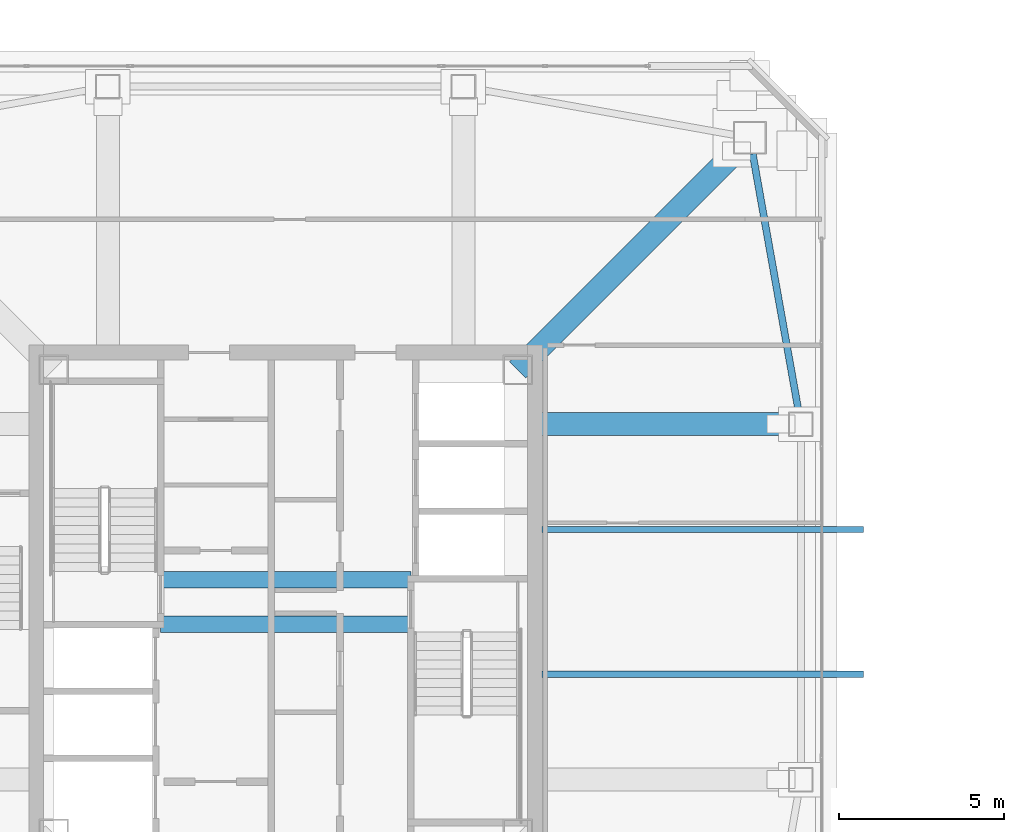
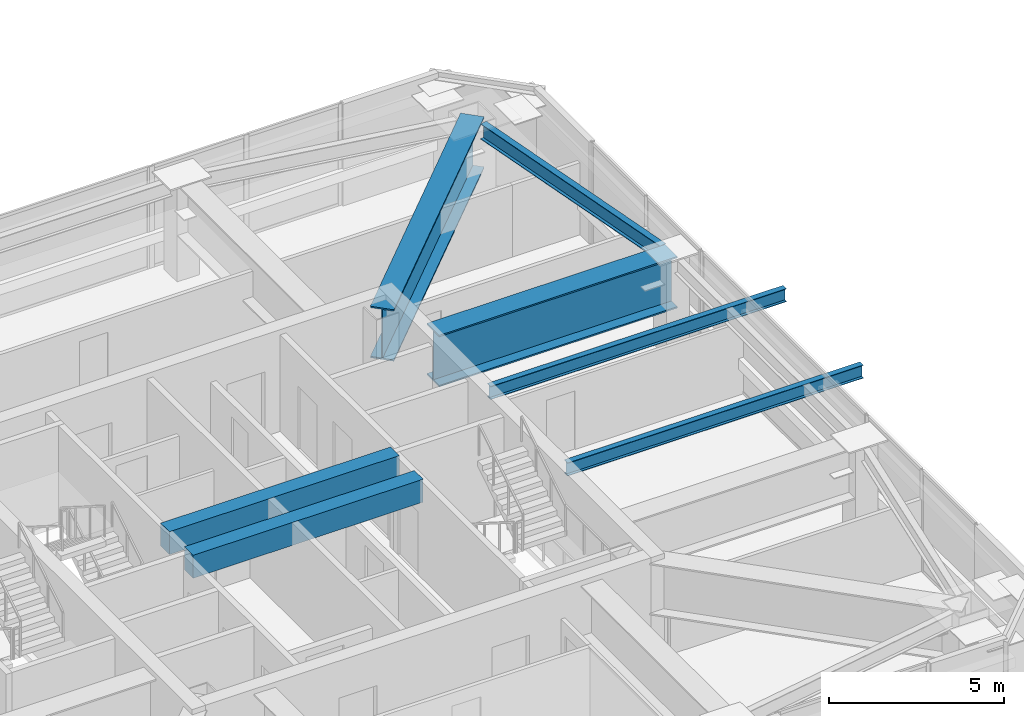
# One storey, part 9 of 40: 7 beams.
"""IFC4 building model written with IfcOpenShell, lengths in metres."""

from ifc_helpers import new_model, si_unit, direction, frame, origin, origin_2d, place, context, subcontext, project, spatial, rectangle, i_section, extrude, material, material_profile, profile_set, type_object, element, save


model = new_model("IFC4")

# Units and contexts
model_context = context("Model", 3, precision=1e-05, world=origin(), true_north=direction((0.0, 1.0)))
body_context = subcontext(model_context, "Body", "Model", "MODEL_VIEW")
ifc_project = project(units=[si_unit("LENGTHUNIT", "METRE"), si_unit("AREAUNIT", "SQUARE_METRE"), si_unit("VOLUMEUNIT", "CUBIC_METRE"), si_unit("PLANEANGLEUNIT", "RADIAN"), si_unit("MASSUNIT", "GRAM", prefix="KILO")], contexts=[model_context])

# Site, building, storey
site_placement = place(None, origin())
site = spatial("IfcSite", under=ifc_project, at=site_placement, CompositionType="ELEMENT")
building_placement = place(site_placement, origin())
building = spatial("IfcBuilding", under=site, at=building_placement, Name="Tashvorn Skyway Center", CompositionType="ELEMENT")
storey_placement = place(building_placement, frame((0.0, 0.0, 229.050048828125)))
storey = spatial("IfcBuildingStorey", under=building, at=storey_placement, Name="L62", CompositionType="ELEMENT", Elevation=229.050048828125)

# Beams
ifc_material_1 = material(Name="Steel ASTM A572 Grade 50", Category="steel")
ifc_material_profile_1 = material_profile(ifc_material_1, i_section(OverallWidth=0.699951171875, OverallDepth=1.800048828125, WebThickness=0.031982421875, FlangeThickness=0.050048828125, at=origin_2d()), Name="PG1800x700")
ifc_profile_set_1 = profile_set([ifc_material_profile_1], Name="Steel ASTM A572 Grade 50")
beam_type_1 = type_object("IfcBeamType", Name="BM-BEAM-PG1800x700", PredefinedType="BEAM", material=ifc_profile_set_1)
beam_1_placement = place(storey_placement, frame((56.10009765625, 46.10009765625, 2.469970703125), z_axis=(-0.707106781187, -0.707106781187, 0.0), x_axis=(0.707106781187, -0.707106781187, 0.0)))
element("IfcBeam", 1, at=beam_1_placement, inside=storey, type_object=beam_type_1, Name="Tower 1 L62 Setback Transfer Girder MC-NE", PredefinedType="BEAM", context=body_context, shape_type="SweptSolid", body=[
    extrude(i_section(OverallWidth=0.699951171875, OverallDepth=1.800048828125, WebThickness=0.031982421875, FlangeThickness=0.050048828125, at=origin_2d()), origin(), (0.0, 0.0, 1.0), 9.97021484375),
])
beam_2_placement = place(storey_placement, frame((57.64990234375, 37.39990234375, 2.469970703125), z_axis=(-1.0, 0.0, 0.0), x_axis=(0.0, -1.0, 0.0)))
element("IfcBeam", 2, at=beam_2_placement, inside=storey, type_object=beam_type_1, Name="Tower 1 L62 Setback Transfer Girder FC-E2", PredefinedType="BEAM", context=body_context, shape_type="SweptSolid", body=[
    extrude(i_section(OverallWidth=0.699951171875, OverallDepth=1.800048828125, WebThickness=0.031982421875, FlangeThickness=0.050048828125, at=origin_2d()), origin(), (0.0, 0.0, 1.0), 7.869873046875),
])
ifc_material_2 = material(Name="Steel ASTM A992 Grade 50", Category="steel")
ifc_material_profile_2 = material_profile(ifc_material_2, i_section(OverallWidth=0.19091796875, OverallDepth=0.4599609375, WebThickness=0.010009765625, FlangeThickness=0.01611328125, at=origin_2d()), Name="W18X55")
ifc_profile_set_2 = profile_set([ifc_material_profile_2], Name="Steel ASTM A992 Grade 50")
beam_type_2 = type_object("IfcBeamType", Name="BM-JOIST-W18X55", PredefinedType="JOIST", material=ifc_profile_set_2)
for number, where, z_axis, x_axis, name in (
    (3, (49.780029296875, 29.800048828125, 3.139892578125), (1.0, 0.0, 0.0), (0.0, 1.0, 0.0), "Tower 1 L63 Terrace Cantilever Outlooker 1"),
    (4, (49.780029296875, 34.199951171875, 3.139892578125), (1.0, 0.0, 0.0), (0.0, 1.0, 0.0), "Tower 1 L63 Terrace Cantilever Outlooker 2"),
):
    element("IfcBeam", number, at=place(storey_placement, frame(where, z_axis=z_axis, x_axis=x_axis)), inside=storey, type_object=beam_type_2, Name=name, PredefinedType="JOIST", context=body_context, shape_type="SweptSolid", body=[
        extrude(i_section(OverallWidth=0.19091796875, OverallDepth=0.4599609375, WebThickness=0.010009765625, FlangeThickness=0.01611328125, at=origin_2d()), origin(), (0.0, 0.0, 1.0), 9.77001953125),
    ])
ifc_material_3 = material(Name="Concrete C50/60", Category="concrete")
ifc_material_profile_3 = material_profile(ifc_material_3, rectangle(XDim=0.5, YDim=0.800048828125, at=origin_2d()), Name="RCB500x800")
ifc_profile_set_3 = profile_set([ifc_material_profile_3], Name="Concrete C50/60")
beam_type_3 = type_object("IfcBeamType", Name="BM-LINTEL-RCB500x800", PredefinedType="LINTEL", material=ifc_profile_set_3)
for number, where, z_axis, x_axis, name in (
    (5, (38.199951171875, 32.679931640625, 2.969970703125), (1.0, 0.0, 0.0), (0.0, 1.0, 0.0), "Tower 1 L62 Core Coupling Beam CN"),
    (6, (38.199951171875, 31.320068359375, 2.969970703125), (1.0, 0.0, 0.0), (0.0, 1.0, 0.0), "Tower 1 L62 Core Coupling Beam CS"),
):
    element("IfcBeam", number, at=place(storey_placement, frame(where, z_axis=z_axis, x_axis=x_axis)), inside=storey, type_object=beam_type_3, Name=name, PredefinedType="LINTEL", context=body_context, shape_type="SweptSolid", body=[
        extrude(rectangle(XDim=0.5, YDim=0.800048828125, at=origin_2d()), origin(), (0.0, 0.0, 1.0), 7.60009765625),
    ])
ifc_material_profile_4 = material_profile(ifc_material_2, i_section(OverallWidth=0.2109375, OverallDepth=0.5390625, WebThickness=0.01171875, FlangeThickness=0.018798828125, at=origin_2d()), Name="W21X73")
ifc_profile_set_4 = profile_set([ifc_material_profile_4], Name="Steel ASTM A992 Grade 50")
beam_type_4 = type_object("IfcBeamType", Name="BM-SPANDREL-W21X73", PredefinedType="SPANDREL", material=ifc_profile_set_4)
beam_3_placement = place(storey_placement, frame((57.585205078125, 37.76416015625, 3.100341796875), z_axis=(-0.17541329759, 0.984494883191, 0.0), x_axis=(-0.984494883191, -0.17541329759, 0.0)))
element("IfcBeam", 7, at=beam_3_placement, inside=storey, type_object=beam_type_4, Name="Tower 1 L62 Spandrel Beam 06", PredefinedType="SPANDREL", context=body_context, shape_type="SweptSolid", body=[
    extrude(i_section(OverallWidth=0.2109375, OverallDepth=0.5390625, WebThickness=0.01171875, FlangeThickness=0.018798828125, at=origin_2d()), origin(), (0.0, 0.0, 1.0), 7.97216796875),
])

save(model, "model.ifc")
